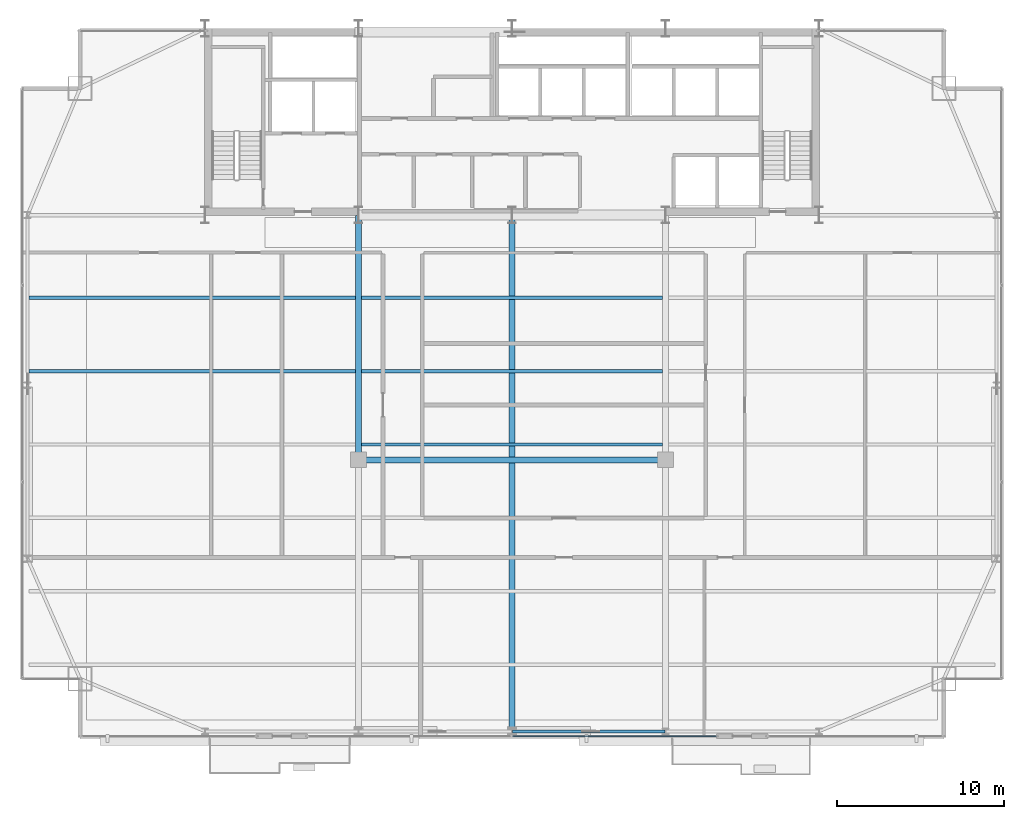
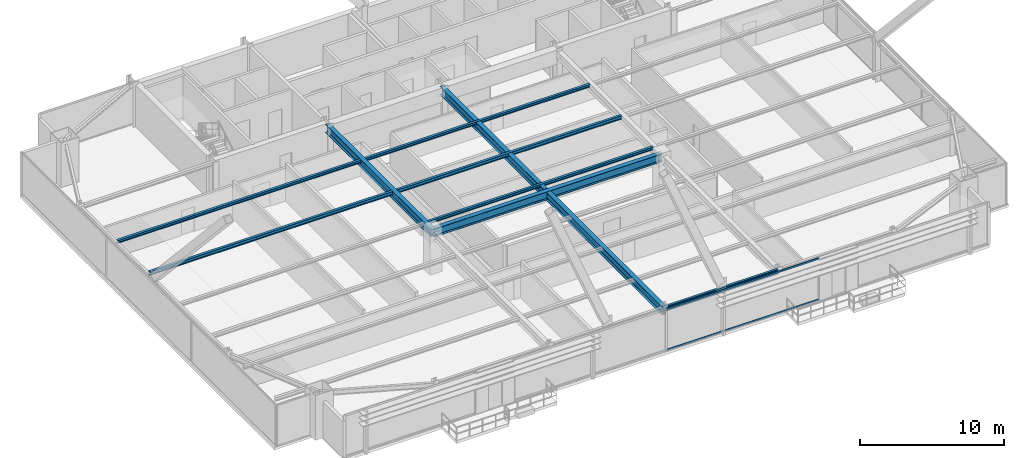
# One storey, part 11 of 37: 9 beams, 2 members, 1 element without a shape of its own.
"""IFC4 building model written with IfcOpenShell, lengths in metres."""

from ifc_helpers import new_model, si_unit, direction, frame, origin, origin_2d, place, context, subcontext, project, spatial, hollow_rectangle, i_section, extrude, source, transform, mapped, material, layer, layer_set, material_profile, profile_set, type_object, type_shapes, element, aggregate, save


model = new_model("IFC4")

# Units and contexts
model_context = context("Model", 3, precision=1e-05, world=origin(), true_north=direction((0.0, 1.0)))
body_context = subcontext(model_context, "Body", "Model", "MODEL_VIEW")
ifc_project = project(units=[si_unit("LENGTHUNIT", "METRE"), si_unit("AREAUNIT", "SQUARE_METRE"), si_unit("VOLUMEUNIT", "CUBIC_METRE"), si_unit("PLANEANGLEUNIT", "RADIAN"), si_unit("MASSUNIT", "GRAM", prefix="KILO")], contexts=[model_context])

# Site, building, storey
site_placement = place(None, origin())
site = spatial("IfcSite", under=ifc_project, at=site_placement, CompositionType="ELEMENT")
building_placement = place(site_placement, origin())
building = spatial("IfcBuilding", under=site, at=building_placement, Name="Varnel Quay Broadcast Tower", CompositionType="ELEMENT")
storey_placement = place(building_placement, frame((0.0, 0.0, 125.800048828125)))
storey = spatial("IfcBuildingStorey", under=building, at=storey_placement, Name="L30", CompositionType="ELEMENT", Elevation=125.800048828125)

# Beams
ifc_material_1 = material(Name="Structural Steel CSA G40.21 350W", Category="steel")
ifc_material_profile_1 = material_profile(ifc_material_1, i_section(OverallWidth=0.180908203125, OverallDepth=0.4169921875, WebThickness=0.010986328125, FlangeThickness=0.018310546875, FilletRadius=0.011962890625, at=origin_2d()), Name="W410X85")
ifc_profile_set_1 = profile_set([ifc_material_profile_1], Name="Structural Steel CSA G40.21 350W")
beam_type_1 = type_object("IfcBeamType", Name="Beam_W410X85", PredefinedType="SPANDREL", material=ifc_profile_set_1)
shared_shape_1 = source(origin(), body_context, "Body", "SweptSolid", [
    extrude(i_section(OverallWidth=0.180908203125, OverallDepth=0.4169921875, WebThickness=0.010986328125, FlangeThickness=0.018310546875, FilletRadius=0.011962890625, at=origin_2d()), origin(), (0.0, 0.0, 1.0), 9.159912109375),
])
type_shapes(beam_type_1, [shared_shape_1])
beam_1_placement = place(storey_placement, frame((34.02001953125, 4.64990234375, 3.341552734375), z_axis=(1.0, 0.0, 0.0), x_axis=(0.0, 1.0, 0.0)))
element("IfcBeam", 1, at=beam_1_placement, inside=storey, type_object=beam_type_1, Name="L30 South Spandrel TC-S3-TC-S4", PredefinedType="SPANDREL", context=body_context, shape_type="MappedRepresentation", body=[
    mapped(shared_shape_1, transform((0.0, 0.0, 0.0), x_axis=(1.0, 0.0, 0.0), y_axis=(0.0, 1.0, 0.0), z_axis=(0.0, 0.0, 1.0), scale=1.0)),
])
ifc_material_profile_2 = material_profile(ifc_material_1, i_section(OverallWidth=0.35498046875, OverallDepth=0.695068359375, WebThickness=0.015380859375, FlangeThickness=0.02490234375, FilletRadius=0.01806640625, at=origin_2d()), Name="W690X217")
ifc_profile_set_2 = profile_set([ifc_material_profile_2], Name="Structural Steel CSA G40.21 350W")
beam_type_2 = type_object("IfcBeamType", Name="Girder_W690X217", PredefinedType="BEAM", material=ifc_profile_set_2)
shared_shape_2 = source(origin(), body_context, "Body", "SweptSolid", [
    extrude(i_section(OverallWidth=0.35498046875, OverallDepth=0.695068359375, WebThickness=0.015380859375, FlangeThickness=0.02490234375, FilletRadius=0.01806640625, at=origin_2d()), origin(), (0.0, 0.0, 1.0), 14.630126953125),
])
beam_2_placement = place(storey_placement, frame((24.800048828125, 20.949951171875, 3.202392578125), z_axis=(0.0, 1.0, 0.0), x_axis=(-1.0, 0.0, 0.0)))
element("IfcBeam", 2, at=beam_2_placement, inside=storey, type_object=beam_type_2, Name="L30 Primary Girder IC-01-CC-S2", PredefinedType="BEAM", context=body_context, shape_type="MappedRepresentation", body=[
    mapped(shared_shape_2, transform((0.0, 0.0, 0.0), x_axis=(1.0, 0.0, 0.0), y_axis=(0.0, 1.0, 0.0), z_axis=(0.0, 0.0, 1.0), scale=1.0)),
])
shared_shape_3 = source(origin(), body_context, "Body", "SweptSolid", [
    extrude(i_section(OverallWidth=0.35498046875, OverallDepth=0.695068359375, WebThickness=0.015380859375, FlangeThickness=0.02490234375, FilletRadius=0.01806640625, at=origin_2d()), origin(), (0.0, 0.0, 1.0), 18.35986328125),
])
beam_3_placement = place(storey_placement, frame((24.820068359375, 20.929931640625, 3.202392578125), z_axis=(1.0, 0.0, 0.0), x_axis=(0.0, 1.0, 0.0)))
element("IfcBeam", 3, at=beam_3_placement, inside=storey, type_object=beam_type_2, Name="L30 Interior Spine Girder", PredefinedType="BEAM", context=body_context, shape_type="MappedRepresentation", body=[
    mapped(shared_shape_3, transform((0.0, 0.0, 0.0), x_axis=(1.0, 0.0, 0.0), y_axis=(0.0, 1.0, 0.0), z_axis=(0.0, 0.0, 1.0), scale=1.0)),
])
shared_shape_4 = source(origin(), body_context, "Body", "SweptSolid", [
    extrude(i_section(OverallWidth=0.35498046875, OverallDepth=0.695068359375, WebThickness=0.015380859375, FlangeThickness=0.02490234375, FilletRadius=0.01806640625, at=origin_2d()), origin(), (0.0, 0.0, 1.0), 30.91015625),
])
type_shapes(beam_type_2, [shared_shape_2, shared_shape_3, shared_shape_4])
beam_4_placement = place(storey_placement, frame((34.0, 4.669921875, 3.202392578125), z_axis=(0.0, 1.0, 0.0), x_axis=(-1.0, 0.0, 0.0)))
element("IfcBeam", 4, at=beam_4_placement, inside=storey, type_object=beam_type_2, Name="L30 Central Bay Girder", PredefinedType="BEAM", context=body_context, shape_type="MappedRepresentation", body=[
    mapped(shared_shape_4, transform((0.0, 0.0, 0.0), x_axis=(1.0, 0.0, 0.0), y_axis=(0.0, 1.0, 0.0), z_axis=(0.0, 0.0, 1.0), scale=1.0)),
])
ifc_material_profile_3 = material_profile(ifc_material_1, i_section(OverallWidth=0.202880859375, OverallDepth=0.302978515625, WebThickness=0.007568359375, FlangeThickness=0.01318359375, FilletRadius=0.011962890625, at=origin_2d()), Name="W310X60")
ifc_profile_set_3 = profile_set([ifc_material_profile_3], Name="Structural Steel CSA G40.21 350W")
beam_type_3 = type_object("IfcBeamType", Name="Beam_W310X60", PredefinedType="JOIST", material=ifc_profile_set_3)
shared_shape_5 = source(origin(), body_context, "Body", "SweptSolid", [
    extrude(i_section(OverallWidth=0.202880859375, OverallDepth=0.302978515625, WebThickness=0.007568359375, FlangeThickness=0.01318359375, FilletRadius=0.011962890625, at=origin_2d()), origin(), (0.0, 0.0, 1.0), 19.592041015625),
])
beam_5_placement = place(storey_placement, frame((5.035400390625, 26.25, 3.3984375), z_axis=(1.0, 0.0, 0.0), x_axis=(0.0, 1.0, 0.0)))
element("IfcBeam", 5, at=beam_5_placement, inside=storey, type_object=beam_type_3, Name="L30 West Floor Joist 5", PredefinedType="JOIST", context=body_context, shape_type="MappedRepresentation", body=[
    mapped(shared_shape_5, transform((0.0, 0.0, 0.0), x_axis=(1.0, 0.0, 0.0), y_axis=(0.0, 1.0, 0.0), z_axis=(0.0, 0.0, 1.0), scale=1.0)),
])
shared_shape_6 = source(origin(), body_context, "Body", "SweptSolid", [
    extrude(i_section(OverallWidth=0.202880859375, OverallDepth=0.302978515625, WebThickness=0.007568359375, FlangeThickness=0.01318359375, FilletRadius=0.011962890625, at=origin_2d()), origin(), (0.0, 0.0, 1.0), 18.05517578125),
])
type_shapes(beam_type_3, [shared_shape_5, shared_shape_6])
beam_6_placement = place(storey_placement, frame((24.972412109375, 26.25, 3.3984375), z_axis=(1.0, 0.0, 0.0), x_axis=(0.0, 1.0, 0.0)))
element("IfcBeam", 6, at=beam_6_placement, inside=storey, type_object=beam_type_3, Name="L30 Central Floor Joist 5", PredefinedType="JOIST", context=body_context, shape_type="MappedRepresentation", body=[
    mapped(shared_shape_6, transform((0.0, 0.0, 0.0), x_axis=(1.0, 0.0, 0.0), y_axis=(0.0, 1.0, 0.0), z_axis=(0.0, 0.0, 1.0), scale=1.0)),
])
ifc_material_profile_4 = material_profile(ifc_material_1, i_section(OverallWidth=0.201904296875, OverallDepth=0.2470703125, WebThickness=0.00732421875, FlangeThickness=0.010986328125, FilletRadius=0.010986328125, at=origin_2d()), Name="W250X49")
ifc_profile_set_4 = profile_set([ifc_material_profile_4], Name="Structural Steel CSA G40.21 350W")
beam_type_4 = type_object("IfcBeamType", Name="Beam_W250X49", PredefinedType="JOIST", material=ifc_profile_set_4)
shared_shape_7 = source(origin(), body_context, "Body", "SweptSolid", [
    extrude(i_section(OverallWidth=0.201904296875, OverallDepth=0.2470703125, WebThickness=0.00732421875, FlangeThickness=0.010986328125, FilletRadius=0.010986328125, at=origin_2d()), origin(), (0.0, 0.0, 1.0), 19.592041015625),
])
beam_7_placement = place(storey_placement, frame((5.035400390625, 30.64990234375, 3.426513671875), z_axis=(1.0, 0.0, 0.0), x_axis=(0.0, 1.0, 0.0)))
element("IfcBeam", 7, at=beam_7_placement, inside=storey, type_object=beam_type_4, Name="L30 West Floor Joist 6", PredefinedType="JOIST", context=body_context, shape_type="MappedRepresentation", body=[
    mapped(shared_shape_7, transform((0.0, 0.0, 0.0), x_axis=(1.0, 0.0, 0.0), y_axis=(0.0, 1.0, 0.0), z_axis=(0.0, 0.0, 1.0), scale=1.0)),
])
shared_shape_8 = source(origin(), body_context, "Body", "SweptSolid", [
    extrude(i_section(OverallWidth=0.201904296875, OverallDepth=0.2470703125, WebThickness=0.00732421875, FlangeThickness=0.010986328125, FilletRadius=0.010986328125, at=origin_2d()), origin(), (0.0, 0.0, 1.0), 18.05517578125),
])
type_shapes(beam_type_4, [shared_shape_7, shared_shape_8])
for number, where, z_axis, x_axis, name in (
    (8, (24.972412109375, 21.85009765625, 3.426513671875), (1.0, 0.0, 0.0), (0.0, 1.0, 0.0), "L30 Central Floor Joist 4"),
    (9, (24.972412109375, 30.64990234375, 3.426513671875), (1.0, 0.0, 0.0), (0.0, 1.0, 0.0), "L30 Central Floor Joist 6"),
):
    element("IfcBeam", number, at=place(storey_placement, frame(where, z_axis=z_axis, x_axis=x_axis)), inside=storey, type_object=beam_type_4, Name=name, PredefinedType="JOIST", context=body_context, shape_type="MappedRepresentation", body=[
        mapped(shared_shape_8, transform((0.0, 0.0, 0.0), x_axis=(1.0, 0.0, 0.0), y_axis=(0.0, 1.0, 0.0), z_axis=(0.0, 0.0, 1.0), scale=1.0)),
    ])

# Curtain wall, members
ifc_material_2 = material(Name="Anodised Bronze Aluminium 6063-T6", Category="aluminium")
ifc_layer = layer(ifc_material_2, 0.18994140625, Name="Anodised Bronze Aluminium 6063-T6")
ifc_layer_set = layer_set([ifc_layer], Name="Anodised Bronze Aluminium 6063-T6")
curtain_wall_type = type_object("IfcCurtainWallType", Name="CW_LowerTower", PredefinedType="NOTDEFINED", material=ifc_layer_set)
curtain_wall_placement = place(storey_placement, origin())
curtain_wall = element("IfcCurtainWall", 10, at=curtain_wall_placement, inside=storey, type_object=curtain_wall_type, Name="L30 South Unitised Curtain Wall 2", PredefinedType="NOTDEFINED")
ifc_material_profile_5 = material_profile(ifc_material_2, hollow_rectangle(XDim=0.06005859375, YDim=0.14501953125, WallThickness=0.00341796875, at=origin_2d()), Name="ALU60X145X3.5")
ifc_profile_set_5 = profile_set([ifc_material_profile_5], Name="Anodised Bronze Aluminium 6063-T6")
member_type = type_object("IfcMemberType", Name="Tran_CWS-02", PredefinedType="USERDEFINED", material=ifc_profile_set_5)
shared_shape_9 = source(origin(), body_context, "Body", "SweptSolid", [
    extrude(hollow_rectangle(XDim=0.06005859375, YDim=0.14501953125, WallThickness=0.00341796875, at=origin_2d()), origin(), (0.0, 0.0, 1.0), 12.215087890625),
])
type_shapes(member_type, [shared_shape_9])
member_1_placement = place(storey_placement, frame((34.034912109375, 4.35009765625, 0.030029296875), z_axis=(1.0, 0.0, 0.0), x_axis=(0.0, 1.0, 0.0)))
member_1 = element("IfcMember", 11, at=member_1_placement, type_object=member_type, Name="CWS-02 transom 2.1", ObjectType="TRANSOM", PredefinedType="USERDEFINED", context=body_context, shape_type="MappedRepresentation", body=[
    mapped(shared_shape_9, transform((0.0, 0.0, 0.0), x_axis=(1.0, 0.0, 0.0), y_axis=(0.0, 1.0, 0.0), z_axis=(0.0, 0.0, 1.0), scale=1.0)),
])
member_2_placement = place(storey_placement, frame((34.034912109375, 4.35009765625, 3.52001953125), z_axis=(1.0, 0.0, 0.0), x_axis=(0.0, 1.0, 0.0)))
member_2 = element("IfcMember", 12, at=member_2_placement, type_object=member_type, Name="CWS-02 transom 2.2", ObjectType="TRANSOM", PredefinedType="USERDEFINED", context=body_context, shape_type="MappedRepresentation", body=[
    mapped(shared_shape_9, transform((0.0, 0.0, 0.0), x_axis=(1.0, 0.0, 0.0), y_axis=(0.0, 1.0, 0.0), z_axis=(0.0, 0.0, 1.0), scale=1.0)),
])
aggregate(curtain_wall, [member_1, member_2])

save(model, "model.ifc")
